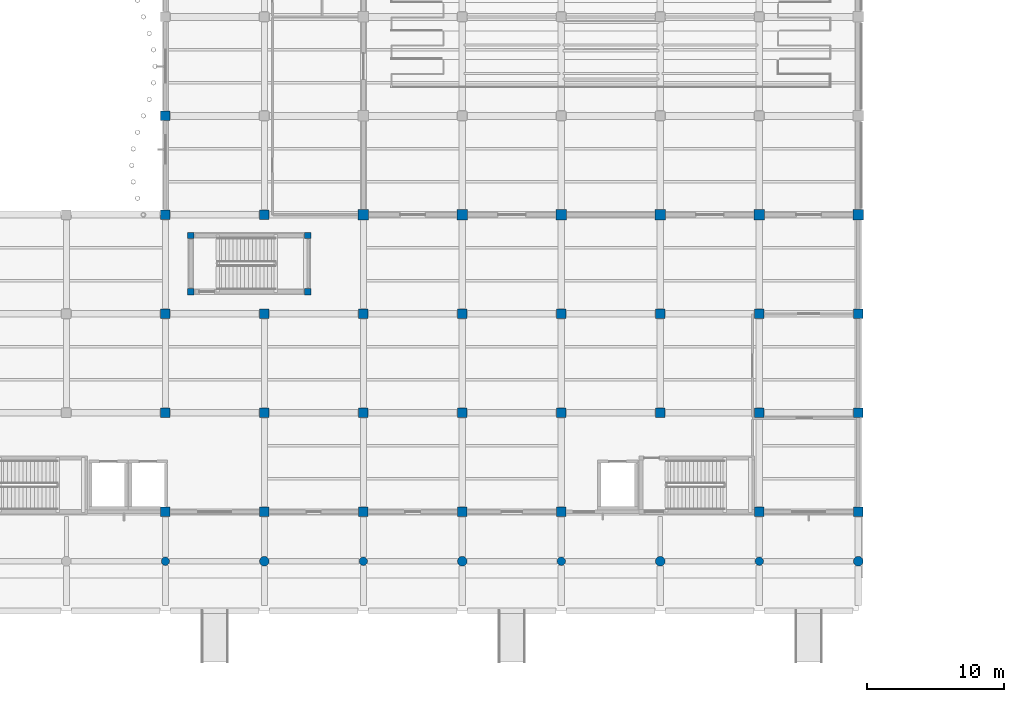
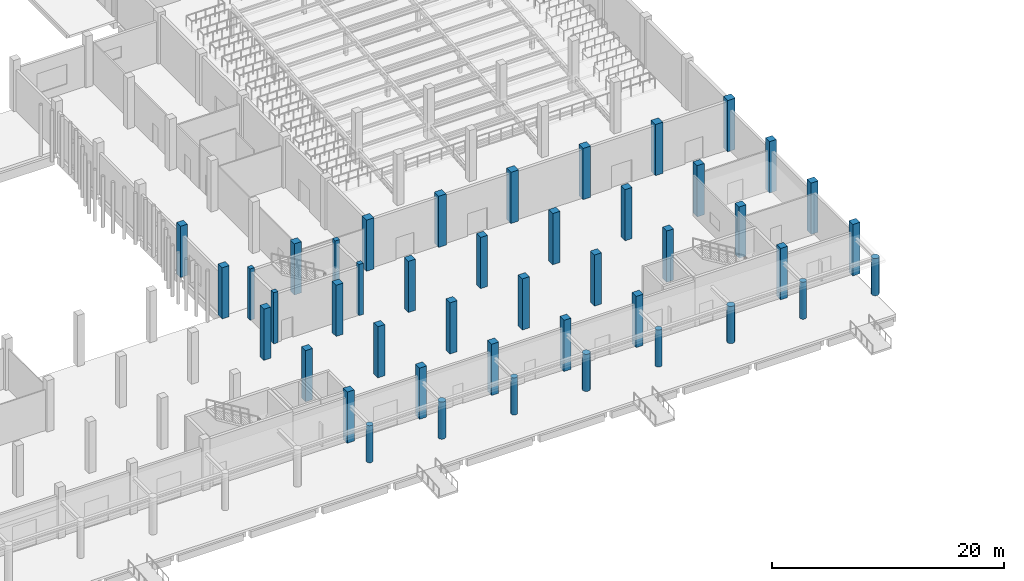
# One storey, part 5 of 46: 44 columns.
"""IFC4 building model written with IfcOpenShell, lengths in metres."""

import ifcopenshell
import ifcopenshell.guid

model = None  # the IFC model being written
_history = None  # IfcOwnerHistory: only IFC2X3 demands one
_inside = {}  # id of a spatial element -> (the spatial element, [elements in it])
_under = {}  # id of a project, library or spatial element -> (it, [spatial elements below it])
_declared = {}  # id of a project -> (the project, [libraries it declares])
_typed = {}  # id of a type object -> (the type object, [elements of that type])
_made_of = {}  # id of a material, layer set ... -> (it, [elements and type objects made of it])


def new_model(schema):
    """Start an empty IFC model of exactly this schema.

    Asked for "IFC4X3", IfcOpenShell would pick the latest addendum, in which some entities
    have other attributes; the version numbers below select the first issue.
    IFC2X3 requires an IfcOwnerHistory on every rooted entity: one is made here for all.
    """
    global model, _history
    if schema == "IFC4X3":
        model = ifcopenshell.file(schema_version=(4, 3, 0, 0))
    else:
        model = ifcopenshell.file(schema=schema)
    _inside.clear()
    _under.clear()
    _declared.clear()
    _typed.clear()
    _made_of.clear()
    _history = None
    if model.schema == "IFC2X3":
        org = make("IfcOrganization", Name="unknown")
        user = make(
            "IfcPersonAndOrganization",
            ThePerson=make("IfcPerson", FamilyName="unknown"),
            TheOrganization=org,
        )
        app = make(
            "IfcApplication",
            ApplicationDeveloper=org,
            Version="unknown",
            ApplicationFullName="unknown",
            ApplicationIdentifier="unknown",
        )
        _history = make(
            "IfcOwnerHistory",
            OwningUser=user,
            OwningApplication=app,
            ChangeAction="ADDED",
            CreationDate=0,
        )
    return model


def make(cls, **values):
    """One entity of the class cls with the attributes given. An attribute that is None is left unset."""
    return model.create_entity(
        cls, **{name: value for name, value in values.items() if value is not None}
    )


def rooted(cls, **values):
    """An entity with a GlobalId (a new one), such as an element, a storey or a relation."""
    return make(cls, GlobalId=ifcopenshell.guid.new(), OwnerHistory=_history, **values)


def si_unit(unit_type, name, prefix=None):
    """IfcSIUnit, for example si_unit("LENGTHUNIT", "METRE", prefix="MILLI")."""
    return make("IfcSIUnit", UnitType=unit_type, Prefix=prefix, Name=name)


def assignment(units):
    """IfcUnitAssignment: the units of a project."""
    return None if units is None else make("IfcUnitAssignment", Units=units)


def point(xyz):
    """IfcCartesianPoint."""
    return None if xyz is None else make("IfcCartesianPoint", Coordinates=xyz)


def direction(xyz):
    """IfcDirection."""
    return None if xyz is None else make("IfcDirection", DirectionRatios=xyz)


def frame(location, z_axis=None, x_axis=None):
    """IfcAxis2Placement3D, a coordinate frame: its origin and axes. An axis left out is left unset."""
    return make(
        "IfcAxis2Placement3D",
        Location=point(location),
        Axis=direction(z_axis),
        RefDirection=direction(x_axis),
    )


def frame_2d(location, x_axis=None):
    """IfcAxis2Placement2D, a coordinate frame in the plane: its origin and x axis."""
    return make(
        "IfcAxis2Placement2D", Location=point(location), RefDirection=direction(x_axis)
    )


def origin():
    """The frame at (0, 0, 0) with its axes left unset."""
    return frame((0.0, 0.0, 0.0))


def origin_2d():
    """The frame at (0, 0) in the plane with its x axis left unset."""
    return frame_2d((0.0, 0.0))


def place(relative_to, where):
    """IfcLocalPlacement: puts the frame where relative to a parent placement (None: the world)."""
    return make(
        "IfcLocalPlacement", PlacementRelTo=relative_to, RelativePlacement=where
    )


def context(
    kind, dimensions, precision=None, world=None, true_north=None, identifier=None
):
    """IfcGeometricRepresentationContext, for example the 3D "Model" context."""
    return make(
        "IfcGeometricRepresentationContext",
        ContextIdentifier=identifier,
        ContextType=kind,
        CoordinateSpaceDimension=dimensions,
        Precision=precision,
        WorldCoordinateSystem=world,
        TrueNorth=true_north,
    )


def subcontext(parent, identifier, kind, view, scale=None):
    """IfcGeometricRepresentationSubContext, for example "Body" below "Model"."""
    return make(
        "IfcGeometricRepresentationSubContext",
        ContextIdentifier=identifier,
        ContextType=kind,
        ParentContext=parent,
        TargetScale=scale,
        TargetView=view,
    )


def project(units=None, contexts=None):
    """IfcProject with its units and contexts."""
    return rooted(
        "IfcProject",
        Name="project",
        RepresentationContexts=contexts,
        UnitsInContext=assignment(units),
    )


def spatial(cls, under=None, at=None, **own):
    """A site, building, storey or space (cls), placed at a placement, below another one or the project."""
    s = rooted(cls, ObjectPlacement=at, **own)
    if under is not None:
        _under.setdefault(under.id(), (under, []))[1].append(s)
    return s


def profile(cls, at=None, kind="AREA", **sizes):
    """A parametric profile (cls). Its sizes go by their IFC names, for example OverallWidth=200.0."""
    return make(cls, ProfileType=kind, Position=at, **sizes)


def rectangle(**sizes):
    """IfcRectangleProfileDef."""
    return profile("IfcRectangleProfileDef", **sizes)


def circle(**sizes):
    """IfcCircleProfileDef."""
    return profile("IfcCircleProfileDef", **sizes)


def extrude(swept, where, along, depth):
    """IfcExtrudedAreaSolid: the profile swept, set in the frame where, extruded along a direction by depth."""
    return make(
        "IfcExtrudedAreaSolid",
        SweptArea=swept,
        Position=where,
        ExtrudedDirection=direction(along),
        Depth=depth,
    )


def shape(context_of_items, identifier, shape_type, items):
    """IfcShapeRepresentation: the items that make up one representation, for example the "Body"."""
    return make(
        "IfcShapeRepresentation",
        ContextOfItems=context_of_items,
        RepresentationIdentifier=identifier,
        RepresentationType=shape_type,
        Items=items,
    )


def material(Name=None, Category=None):
    """IfcMaterial."""
    return make("IfcMaterial", Name=Name, Category=Category)


def material_profile(
    of_material, cross_section, Name=None, Category=None, Priority=None
):
    """IfcMaterialProfile: a cross section and its material."""
    return make(
        "IfcMaterialProfile",
        Name=Name,
        Material=of_material,
        Profile=cross_section,
        Priority=Priority,
        Category=Category,
    )


def profile_set(profiles, Name=None, composite=None):
    """IfcMaterialProfileSet."""
    return make(
        "IfcMaterialProfileSet",
        Name=Name,
        MaterialProfiles=profiles,
        CompositeProfile=composite,
    )


def made_of(thing, what):
    """Note that an element or type object is made of a material, layer set ...; save() writes the relation."""
    if what is not None:
        _made_of.setdefault(what.id(), (what, []))[1].append(thing)
    return thing


def type_object(cls, material=None, **own):
    """A type object (cls), such as IfcWallType, which elements share."""
    return made_of(rooted(cls, **own), material)


def element(
    cls,
    number,
    at=None,
    inside=None,
    cuts=None,
    type_object=None,
    material=None,
    context=None,
    identifier="Body",
    shape_type=None,
    held_by="IfcProductDefinitionShape",
    body=None,
    shapes=None,
    **own,
):
    """One element of the class cls, such as IfcWall. Its Tag is "e" and its number.

    at: its placement. inside: the storey or other place that contains it. cuts: it is an
    opening in that element (IfcRelVoidsElement). A single representation is given by context,
    identifier, shape_type and body (its items); several are given by shapes. held_by: the class
    of the entity that holds the representations. save() writes the other relations.
    """
    e = rooted(cls, Tag="e%d" % number, ObjectPlacement=at, **own)
    if body is not None:
        shapes = [shape(context, identifier, shape_type, body)]
    if shapes is not None:
        e.Representation = make(held_by, Representations=shapes)
    if inside is not None:
        _inside.setdefault(inside.id(), (inside, []))[1].append(e)
    if cuts is not None:
        rooted(
            "IfcRelVoidsElement", RelatingBuildingElement=cuts, RelatedOpeningElement=e
        )
    if type_object is not None:
        _typed.setdefault(type_object.id(), (type_object, []))[1].append(e)
    return made_of(e, material)


def aggregate(whole, parts):
    """IfcRelAggregates: a whole, such as a stair, and the parts it consists of."""
    return rooted("IfcRelAggregates", RelatingObject=whole, RelatedObjects=parts)


def save(model, path):
    """Write the relations noted so far, then the file.

    IfcRelAggregates (storeys below a building ...), IfcRelContainedInSpatialStructure (elements
    in a storey), IfcRelDefinesByType, IfcRelAssociatesMaterial and IfcRelDeclares: one each for
    every whole, place, type object, material and project.
    """
    for whole, parts in _under.values():
        aggregate(whole, parts)
    for where, things in _inside.values():
        rooted(
            "IfcRelContainedInSpatialStructure",
            RelatedElements=things,
            RelatingStructure=where,
        )
    for kind, things in _typed.values():
        rooted("IfcRelDefinesByType", RelatedObjects=things, RelatingType=kind)
    for what, things in _made_of.values():
        rooted("IfcRelAssociatesMaterial", RelatedObjects=things, RelatingMaterial=what)
    for by, libraries in _declared.values():
        rooted("IfcRelDeclares", RelatingContext=by, RelatedDefinitions=libraries)
    model.write(path)


model = new_model("IFC4")

# Units and contexts
model_context = context("Model", 3, precision=1e-05, world=origin(), true_north=direction((0.0, 1.0)))
body_context = subcontext(model_context, "Body", "Model", "MODEL_VIEW")
ifc_project = project(units=[si_unit("LENGTHUNIT", "METRE"), si_unit("AREAUNIT", "SQUARE_METRE"), si_unit("VOLUMEUNIT", "CUBIC_METRE"), si_unit("PLANEANGLEUNIT", "RADIAN"), si_unit("MASSUNIT", "GRAM", prefix="KILO"), si_unit("THERMODYNAMICTEMPERATUREUNIT", "KELVIN"), si_unit("POWERUNIT", "WATT")], contexts=[model_context])

# Site, building, storey
site_placement = place(None, origin())
site = spatial("IfcSite", under=ifc_project, at=site_placement, CompositionType="ELEMENT")
building_placement = place(site_placement, origin())
building = spatial("IfcBuilding", under=site, at=building_placement, Name="Kaldorven Railside Theatre", CompositionType="ELEMENT")
storey_placement = place(building_placement, origin())
storey = spatial("IfcBuildingStorey", under=building, at=storey_placement, Name="L00", CompositionType="ELEMENT", Elevation=0.0)

# Columns
ifc_material_1 = material(Name="Architectural concrete C40/50", Category="concrete")
ifc_material_profile_1 = material_profile(ifc_material_1, circle(Radius=0.300048828125, at=origin_2d()), Name="RC D600")
ifc_profile_set_1 = profile_set([ifc_material_profile_1], Name="Architectural concrete C40/50")
column_type_1 = type_object("IfcColumnType", Name="COL-CIRC600", PredefinedType="PILASTER", material=ifc_profile_set_1)
for number, where, z_axis, x_axis, name in (
    (1, (72.800048828125, 15.60009765625, 0.0), (0.0, 0.0, 1.0), (1.0, 0.0, 0.0), "L00 Column CG-L00-072-015"),
    (2, (87.199951171875, 15.60009765625, 0.0), (0.0, 0.0, 1.0), (1.0, 0.0, 0.0), "L00 Column CG-L00-087-015"),
    (3, (101.60009765625, 15.60009765625, 0.0), (0.0, 0.0, 1.0), (1.0, 0.0, 0.0), "L00 Column CG-L00-101-015"),
    (4, (116.0, 15.60009765625, 0.0), (0.0, 0.0, 1.0), (1.0, 0.0, 0.0), "L00 Column CG-L00-116-015"),
):
    element("IfcColumn", number, at=place(storey_placement, frame(where, z_axis=z_axis, x_axis=x_axis)), inside=storey, type_object=column_type_1, Name=name, PredefinedType="PILASTER", context=body_context, shape_type="SweptSolid", body=[
        extrude(circle(Radius=0.300048828125, at=origin_2d()), origin(), (0.0, 0.0, 1.0), 3.909912109375),
    ])
ifc_material_profile_2 = material_profile(ifc_material_1, circle(Radius=0.35009765625, at=origin_2d()), Name="RC D700")
ifc_profile_set_2 = profile_set([ifc_material_profile_2], Name="Architectural concrete C40/50")
column_type_2 = type_object("IfcColumnType", Name="COL-CIRC700", PredefinedType="PILASTER", material=ifc_profile_set_2)
for number, where, z_axis, x_axis, name in (
    (5, (80.0, 15.60009765625, 0.0), (0.0, 0.0, 1.0), (1.0, 0.0, 0.0), "L00 Column CG-L00-080-015"),
    (6, (94.39990234375, 15.60009765625, 0.0), (0.0, 0.0, 1.0), (1.0, 0.0, 0.0), "L00 Column CG-L00-094-015"),
    (7, (108.800048828125, 15.60009765625, 0.0), (0.0, 0.0, 1.0), (1.0, 0.0, 0.0), "L00 Column CG-L00-108-015"),
    (8, (123.199951171875, 15.60009765625, 0.0), (0.0, 0.0, 1.0), (1.0, 0.0, 0.0), "L00 Column CG-L00-123-015"),
):
    element("IfcColumn", number, at=place(storey_placement, frame(where, z_axis=z_axis, x_axis=x_axis)), inside=storey, type_object=column_type_2, Name=name, PredefinedType="PILASTER", context=body_context, shape_type="SweptSolid", body=[
        extrude(circle(Radius=0.35009765625, at=origin_2d()), origin(), (0.0, 0.0, 1.0), 3.909912109375),
    ])
ifc_material_2 = material(Name="Concrete C40/50", Category="concrete")
ifc_material_profile_3 = material_profile(ifc_material_2, rectangle(XDim=0.449951171875, YDim=0.449951171875, at=origin_2d()), Name="RC 450x450")
ifc_profile_set_3 = profile_set([ifc_material_profile_3], Name="Concrete C40/50")
column_type_3 = type_object("IfcColumnType", Name="COL-RC450", PredefinedType="COLUMN", material=ifc_profile_set_3)
for number, where, z_axis, x_axis, name in (
    (9, (74.64990234375, 35.199951171875, 0.0), (0.0, 0.0, 1.0), (1.0, 0.0, 0.0), "Core ST-07 L00 Boundary Column CCR-021"),
    (10, (83.14990234375, 35.199951171875, 0.0), (0.0, 0.0, 1.0), (1.0, 0.0, 0.0), "Core ST-07 L00 Boundary Column CCR-025"),
    (11, (83.14990234375, 39.300048828125, 0.0), (0.0, 0.0, 1.0), (1.0, 0.0, 0.0), "Core ST-07 L00 Boundary Column CCR-029"),
    (12, (74.64990234375, 39.300048828125, 0.0), (0.0, 0.0, 1.0), (1.0, 0.0, 0.0), "Core ST-07 L00 Boundary Column CCR-033"),
):
    element("IfcColumn", number, at=place(storey_placement, frame(where, z_axis=z_axis, x_axis=x_axis)), inside=storey, type_object=column_type_3, Name=name, PredefinedType="COLUMN", context=body_context, shape_type="SweptSolid", body=[
        extrude(rectangle(XDim=0.449951171875, YDim=0.449951171875, at=origin_2d()), origin(), (0.0, 0.0, 1.0), 5.39990234375),
    ])
ifc_material_profile_4 = material_profile(ifc_material_2, rectangle(XDim=0.699951171875, YDim=0.699951171875, at=origin_2d()), Name="RC 700x700")
ifc_profile_set_4 = profile_set([ifc_material_profile_4], Name="Concrete C40/50")
column_type_4 = type_object("IfcColumnType", Name="COL-RC700", PredefinedType="COLUMN", material=ifc_profile_set_4)
for number, where, z_axis, x_axis, name in (
    (13, (72.800048828125, 19.199951171875, 0.0), (0.0, 0.0, 1.0), (1.0, 0.0, 0.0), "L00 Column CG-L00-072-019"),
    (14, (80.0, 19.199951171875, 0.0), (0.0, 0.0, 1.0), (0.0, 1.0, 0.0), "L00 Column CG-L00-080-019"),
    (15, (87.199951171875, 19.199951171875, 0.0), (0.0, 0.0, 1.0), (1.0, 0.0, 0.0), "L00 Column CG-L00-087-019"),
    (16, (94.39990234375, 19.199951171875, 0.0), (0.0, 0.0, 1.0), (0.0, 1.0, 0.0), "L00 Column CG-L00-094-019"),
    (17, (101.60009765625, 19.199951171875, 0.0), (0.0, 0.0, 1.0), (1.0, 0.0, 0.0), "L00 Column CG-L00-101-019"),
    (18, (116.0, 19.199951171875, 0.0), (0.0, 0.0, 1.0), (0.0, 1.0, 0.0), "L00 Column CG-L00-116-019"),
    (19, (123.199951171875, 19.199951171875, 0.0), (0.0, 0.0, 1.0), (1.0, 0.0, 0.0), "L00 Column CG-L00-123-019"),
    (20, (72.800048828125, 26.39990234375, 0.0), (0.0, 0.0, 1.0), (0.0, 1.0, 0.0), "L00 Column CG-L00-072-026"),
    (21, (80.0, 26.39990234375, 0.0), (0.0, 0.0, 1.0), (1.0, 0.0, 0.0), "L00 Column CG-L00-080-026"),
    (22, (87.199951171875, 26.39990234375, 0.0), (0.0, 0.0, 1.0), (0.0, 1.0, 0.0), "L00 Column CG-L00-087-026"),
    (23, (94.39990234375, 26.39990234375, 0.0), (0.0, 0.0, 1.0), (1.0, 0.0, 0.0), "L00 Column CG-L00-094-026"),
    (24, (101.60009765625, 26.39990234375, 0.0), (0.0, 0.0, 1.0), (1.0, 0.0, 0.0), "L00 Column CG-L00-101-026"),
    (25, (108.800048828125, 26.39990234375, 0.0), (0.0, 0.0, 1.0), (0.0, 1.0, 0.0), "L00 Column CG-L00-108-026"),
    (26, (116.0, 26.39990234375, 0.0), (0.0, 0.0, 1.0), (1.0, 0.0, 0.0), "L00 Column CG-L00-116-026"),
    (27, (123.199951171875, 26.39990234375, 0.0), (0.0, 0.0, 1.0), (0.0, 1.0, 0.0), "L00 Column CG-L00-123-026"),
    (28, (72.800048828125, 33.60009765625, 0.0), (0.0, 0.0, 1.0), (1.0, 0.0, 0.0), "L00 Column CG-L00-072-033"),
    (29, (80.0, 33.60009765625, 0.0), (0.0, 0.0, 1.0), (0.0, 1.0, 0.0), "L00 Column CG-L00-080-033"),
    (30, (87.199951171875, 33.60009765625, 0.0), (0.0, 0.0, 1.0), (1.0, 0.0, 0.0), "L00 Column CG-L00-087-033"),
    (31, (94.39990234375, 33.60009765625, 0.0), (0.0, 0.0, 1.0), (1.0, 0.0, 0.0), "L00 Column CG-L00-094-033"),
    (32, (101.60009765625, 33.60009765625, 0.0), (0.0, 0.0, 1.0), (0.0, 1.0, 0.0), "L00 Column CG-L00-101-033"),
    (33, (108.800048828125, 33.60009765625, 0.0), (0.0, 0.0, 1.0), (1.0, 0.0, 0.0), "L00 Column CG-L00-108-033"),
    (34, (116.0, 33.60009765625, 0.0), (0.0, 0.0, 1.0), (0.0, 1.0, 0.0), "L00 Column CG-L00-116-033"),
    (35, (123.199951171875, 33.60009765625, 0.0), (0.0, 0.0, 1.0), (1.0, 0.0, 0.0), "L00 Column CG-L00-123-033"),
    (36, (72.800048828125, 40.800048828125, 0.0), (0.0, 0.0, 1.0), (0.0, 1.0, 0.0), "L00 Column CG-L00-072-040"),
    (37, (80.0, 40.800048828125, 0.0), (0.0, 0.0, 1.0), (1.0, 0.0, 0.0), "L00 Column CG-L00-080-040"),
    (38, (72.800048828125, 48.0, 0.0), (0.0, 0.0, 1.0), (1.0, 0.0, 0.0), "L00 Column CG-L00-072-048"),
):
    element("IfcColumn", number, at=place(storey_placement, frame(where, z_axis=z_axis, x_axis=x_axis)), inside=storey, type_object=column_type_4, Name=name, PredefinedType="COLUMN", context=body_context, shape_type="SweptSolid", body=[
        extrude(rectangle(XDim=0.699951171875, YDim=0.699951171875, at=origin_2d()), origin(), (0.0, 0.0, 1.0), 5.39990234375),
    ])
ifc_material_profile_5 = material_profile(ifc_material_2, rectangle(XDim=0.75, YDim=0.75, at=origin_2d()), Name="RC 750x750")
ifc_profile_set_5 = profile_set([ifc_material_profile_5], Name="Concrete C40/50")
column_type_5 = type_object("IfcColumnType", Name="COL-RC750", PredefinedType="COLUMN", material=ifc_profile_set_5)
for number, where, z_axis, x_axis, name in (
    (39, (87.199951171875, 40.800048828125, 0.0), (0.0, 0.0, 1.0), (1.0, 0.0, 0.0), "L00 Column CG-L00-087-040"),
    (40, (94.39990234375, 40.800048828125, 0.0), (0.0, 0.0, 1.0), (0.0, 1.0, 0.0), "L00 Column CG-L00-094-040"),
    (41, (101.60009765625, 40.800048828125, 0.0), (0.0, 0.0, 1.0), (1.0, 0.0, 0.0), "L00 Column CG-L00-101-040"),
    (42, (108.800048828125, 40.800048828125, 0.0), (0.0, 0.0, 1.0), (0.0, 1.0, 0.0), "L00 Column CG-L00-108-040"),
    (43, (116.0, 40.800048828125, 0.0), (0.0, 0.0, 1.0), (1.0, 0.0, 0.0), "L00 Column CG-L00-116-040"),
    (44, (123.199951171875, 40.800048828125, 0.0), (0.0, 0.0, 1.0), (1.0, 0.0, 0.0), "L00 Column CG-L00-123-040"),
):
    element("IfcColumn", number, at=place(storey_placement, frame(where, z_axis=z_axis, x_axis=x_axis)), inside=storey, type_object=column_type_5, Name=name, PredefinedType="COLUMN", context=body_context, shape_type="SweptSolid", body=[
        extrude(rectangle(XDim=0.75, YDim=0.75, at=origin_2d()), origin(), (0.0, 0.0, 1.0), 5.39990234375),
    ])

save(model, "model.ifc")
